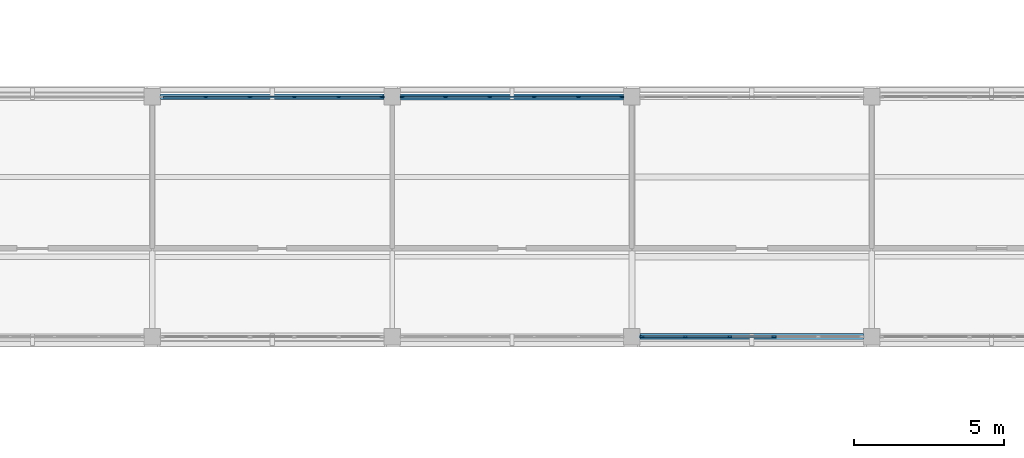
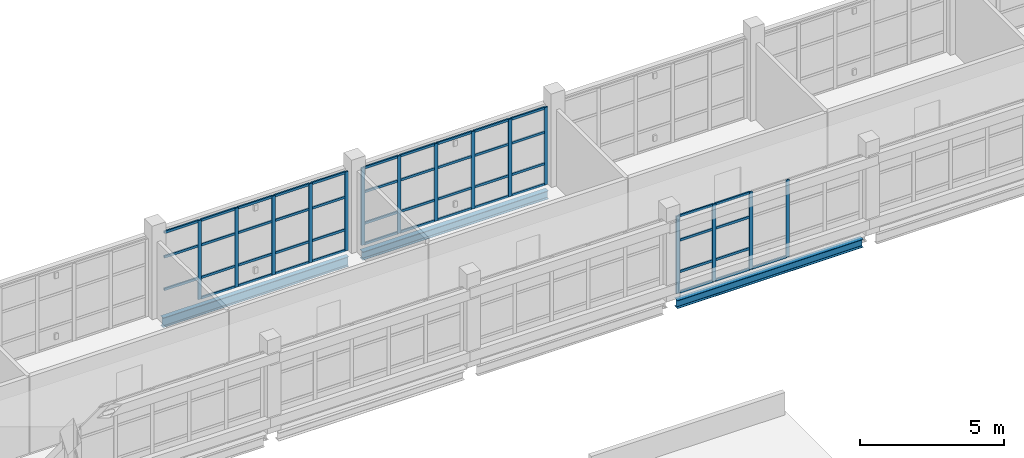
# One storey, part 37 of 92: 63 members, 3 beams, 3 elements without a shape of their own.
"""IFC4 building model written with IfcOpenShell, lengths in metres."""

from ifc_helpers import new_model, si_unit, derived_unit, direction, frame, origin, origin_2d, place, context, subcontext, project, spatial, rectangle, i_section, extrude, material, layer, layer_set, material_profile, profile_set, type_object, element, aggregate, save


model = new_model("IFC4")

# Units and contexts
model_context = context("Model", 3, precision=1e-05, world=origin(), true_north=direction((0.0, 1.0)))
body_context = subcontext(model_context, "Body", "Model", "MODEL_VIEW")
ifc_project = project(units=[si_unit("LENGTHUNIT", "METRE"), si_unit("AREAUNIT", "SQUARE_METRE"), si_unit("VOLUMEUNIT", "CUBIC_METRE"), si_unit("PLANEANGLEUNIT", "RADIAN"), si_unit("MASSUNIT", "GRAM", prefix="KILO"), derived_unit("THERMALTRANSMITTANCEUNIT", [(si_unit("MASSUNIT", "GRAM", prefix="KILO"), 1), (si_unit("TIMEUNIT", "SECOND"), -3), (si_unit("THERMODYNAMICTEMPERATUREUNIT", "KELVIN"), -1)])], contexts=[model_context])

# Site, building, storey
site_placement = place(None, origin())
site = spatial("IfcSite", under=ifc_project, at=site_placement, CompositionType="ELEMENT")
building_placement = place(site_placement, origin())
building = spatial("IfcBuilding", under=site, at=building_placement, Name="Veyamyaing Civic Hall", CompositionType="ELEMENT")
storey_placement = place(building_placement, frame((0.0, 0.0, 17.820068359375)))
storey = spatial("IfcBuildingStorey", under=building, at=storey_placement, Name="L04", CompositionType="ELEMENT", Elevation=17.820068359375)

# Beams
ifc_material_1 = material(Name="Steel ASTM A992", Category="steel")
ifc_material_profile_1 = material_profile(ifc_material_1, i_section(OverallWidth=0.179931640625, OverallDepth=0.4130859375, WebThickness=0.009765625, FlangeThickness=0.01611328125, FilletRadius=0.010009765625, at=origin_2d()), Name="W410X74")
ifc_profile_set_1 = profile_set([ifc_material_profile_1], Name="Steel ASTM A992")
beam_type_1 = type_object("IfcBeamType", Name="B-10", PredefinedType="SPANDREL", material=ifc_profile_set_1)
beam_placement = place(storey_placement, frame((128.27490234375, 56.0, -0.441650390625), z_axis=(1.0, 0.0, 0.0), x_axis=(0.0, 1.0, 0.0)))
element("IfcBeam", 1, at=beam_placement, inside=storey, type_object=beam_type_1, Name="Girder B-10 L04 Grid H 17-18", PredefinedType="SPANDREL", context=body_context, shape_type="SweptSolid", body=[
    extrude(i_section(OverallWidth=0.179931640625, OverallDepth=0.4130859375, WebThickness=0.009765625, FlangeThickness=0.01611328125, FilletRadius=0.010009765625, at=origin_2d()), origin(), (0.0, 0.0, 1.0), 7.4501953125),
])
ifc_material_profile_2 = material_profile(ifc_material_1, i_section(OverallWidth=0.2041015625, OverallDepth=0.35009765625, WebThickness=0.0078125, FlangeThickness=0.01513671875, FilletRadius=0.010009765625, at=origin_2d()), Name="W360X72")
ifc_profile_set_2 = profile_set([ifc_material_profile_2], Name="Steel ASTM A992")
beam_type_2 = type_object("IfcBeamType", Name="B-11", PredefinedType="SPANDREL", material=ifc_profile_set_2)
for number, where, z_axis, x_axis, name in (
    (2, (144.27490234375, 48.0, -0.41015625), (1.0, 0.0, 0.0), (0.0, 1.0, 0.0), "Girder B-11 L04 Grid G 19-20"),
    (3, (136.27490234375, 56.0, -0.41015625), (1.0, 0.0, 0.0), (0.0, 1.0, 0.0), "Girder B-11 L04 Grid H 18-19"),
):
    element("IfcBeam", number, at=place(storey_placement, frame(where, z_axis=z_axis, x_axis=x_axis)), inside=storey, type_object=beam_type_2, Name=name, PredefinedType="SPANDREL", context=body_context, shape_type="SweptSolid", body=[
        extrude(i_section(OverallWidth=0.2041015625, OverallDepth=0.35009765625, WebThickness=0.0078125, FlangeThickness=0.01513671875, FilletRadius=0.010009765625, at=origin_2d()), origin(), (0.0, 0.0, 1.0), 7.4501953125),
    ])

# Curtain wall, members
ifc_material_2 = material(Name="Anodised aluminium 6063-T6", Category="aluminium")
ifc_layer = layer(ifc_material_2, 0.139892578125, Name="Anodised aluminium 6063-T6")
ifc_layer_set = layer_set([ifc_layer], Name="Anodised aluminium 6063-T6")
curtain_wall_type = type_object("IfcCurtainWallType", Name="CW-04", PredefinedType="NOTDEFINED", material=ifc_layer_set)
curtain_wall_1_placement = place(storey_placement, origin())
curtain_wall_1 = element("IfcCurtainWall", 4, at=curtain_wall_1_placement, inside=storey, type_object=curtain_wall_type, Name="Unitized curtain wall CW-04 L04 N 17.7", PredefinedType="NOTDEFINED")
ifc_material_profile_3 = material_profile(ifc_material_2, rectangle(XDim=0.06005859375, YDim=0.139892578125, at=origin_2d()), Name="ALU-MUL-60X140")
ifc_profile_set_3 = profile_set([ifc_material_profile_3], Name="Anodised aluminium 6063-T6")
member_type_1 = type_object("IfcMemberType", Name="CWM-03", PredefinedType="MULLION", material=ifc_profile_set_3)
member_1_placement = place(storey_placement, frame((129.782958984375, 56.0, 0.0), z_axis=(0.0, 0.0, 1.0), x_axis=(0.0, 1.0, 0.0)))
member_1 = element("IfcMember", 5, at=member_1_placement, type_object=member_type_1, Name="CW-04 mullion 2", PredefinedType="MULLION", context=body_context, shape_type="SweptSolid", body=[
    extrude(rectangle(XDim=0.06005859375, YDim=0.139892578125, at=origin_2d()), origin(), (0.0, 0.0, 1.0), 3.35205078125),
])
member_2_placement = place(storey_placement, frame((131.260986328125, 56.0, 0.0), z_axis=(0.0, 0.0, 1.0), x_axis=(0.0, 1.0, 0.0)))
member_2 = element("IfcMember", 6, at=member_2_placement, type_object=member_type_1, Name="CW-04 mullion 3", PredefinedType="MULLION", context=body_context, shape_type="SweptSolid", body=[
    extrude(rectangle(XDim=0.06005859375, YDim=0.139892578125, at=origin_2d()), origin(), (0.0, 0.0, 1.0), 3.35205078125),
])
member_3_placement = place(storey_placement, frame((132.739013671875, 56.0, 0.0), z_axis=(0.0, 0.0, 1.0), x_axis=(0.0, 1.0, 0.0)))
member_3 = element("IfcMember", 7, at=member_3_placement, type_object=member_type_1, Name="CW-04 mullion 4", PredefinedType="MULLION", context=body_context, shape_type="SweptSolid", body=[
    extrude(rectangle(XDim=0.06005859375, YDim=0.139892578125, at=origin_2d()), origin(), (0.0, 0.0, 1.0), 3.35205078125),
])
member_4_placement = place(storey_placement, frame((134.217041015625, 56.0, 0.0), z_axis=(0.0, 0.0, 1.0), x_axis=(0.0, 1.0, 0.0)))
member_4 = element("IfcMember", 8, at=member_4_placement, type_object=member_type_1, Name="CW-04 mullion 5", PredefinedType="MULLION", context=body_context, shape_type="SweptSolid", body=[
    extrude(rectangle(XDim=0.06005859375, YDim=0.139892578125, at=origin_2d()), origin(), (0.0, 0.0, 1.0), 3.35205078125),
])
member_5_placement = place(storey_placement, frame((135.6650390625, 56.0, 0.0), z_axis=(0.0, 0.0, 1.0), x_axis=(0.0, 1.0, 0.0)))
member_5 = element("IfcMember", 9, at=member_5_placement, type_object=member_type_1, Name="CW-04 mullion 6", PredefinedType="MULLION", context=body_context, shape_type="SweptSolid", body=[
    extrude(rectangle(XDim=0.06005859375, YDim=0.139892578125, at=origin_2d()), origin(), (0.0, 0.0, 1.0), 3.35205078125),
])

curtain_wall_2_placement = place(storey_placement, origin())
curtain_wall_2 = element("IfcCurtainWall", 10, at=curtain_wall_2_placement, inside=storey, type_object=curtain_wall_type, Name="Unitized curtain wall CW-04 L04 N 18.7", PredefinedType="NOTDEFINED")
member_6_placement = place(storey_placement, frame((136.3349609375, 56.0, 0.0), z_axis=(0.0, 0.0, 1.0), x_axis=(0.0, 1.0, 0.0)))
member_6 = element("IfcMember", 11, at=member_6_placement, type_object=member_type_1, Name="CW-04 mullion 1", PredefinedType="MULLION", context=body_context, shape_type="SweptSolid", body=[
    extrude(rectangle(XDim=0.06005859375, YDim=0.139892578125, at=origin_2d()), origin(), (0.0, 0.0, 1.0), 3.284912109375),
])
member_7_placement = place(storey_placement, frame((137.782958984375, 56.0, 0.0), z_axis=(0.0, 0.0, 1.0), x_axis=(0.0, 1.0, 0.0)))
member_7 = element("IfcMember", 12, at=member_7_placement, type_object=member_type_1, Name="CW-04 mullion 2", PredefinedType="MULLION", context=body_context, shape_type="SweptSolid", body=[
    extrude(rectangle(XDim=0.06005859375, YDim=0.139892578125, at=origin_2d()), origin(), (0.0, 0.0, 1.0), 3.284912109375),
])
member_8_placement = place(storey_placement, frame((139.260986328125, 56.0, 0.0), z_axis=(0.0, 0.0, 1.0), x_axis=(0.0, 1.0, 0.0)))
member_8 = element("IfcMember", 13, at=member_8_placement, type_object=member_type_1, Name="CW-04 mullion 3", PredefinedType="MULLION", context=body_context, shape_type="SweptSolid", body=[
    extrude(rectangle(XDim=0.06005859375, YDim=0.139892578125, at=origin_2d()), origin(), (0.0, 0.0, 1.0), 3.284912109375),
])
member_9_placement = place(storey_placement, frame((140.739013671875, 56.0, 0.0), z_axis=(0.0, 0.0, 1.0), x_axis=(0.0, 1.0, 0.0)))
member_9 = element("IfcMember", 14, at=member_9_placement, type_object=member_type_1, Name="CW-04 mullion 4", PredefinedType="MULLION", context=body_context, shape_type="SweptSolid", body=[
    extrude(rectangle(XDim=0.06005859375, YDim=0.139892578125, at=origin_2d()), origin(), (0.0, 0.0, 1.0), 3.284912109375),
])
member_10_placement = place(storey_placement, frame((142.217041015625, 56.0, 0.0), z_axis=(0.0, 0.0, 1.0), x_axis=(0.0, 1.0, 0.0)))
member_10 = element("IfcMember", 15, at=member_10_placement, type_object=member_type_1, Name="CW-04 mullion 5", PredefinedType="MULLION", context=body_context, shape_type="SweptSolid", body=[
    extrude(rectangle(XDim=0.06005859375, YDim=0.139892578125, at=origin_2d()), origin(), (0.0, 0.0, 1.0), 3.284912109375),
])
member_11_placement = place(storey_placement, frame((143.6650390625, 56.0, 0.0), z_axis=(0.0, 0.0, 1.0), x_axis=(0.0, 1.0, 0.0)))
member_11 = element("IfcMember", 16, at=member_11_placement, type_object=member_type_1, Name="CW-04 mullion 6", PredefinedType="MULLION", context=body_context, shape_type="SweptSolid", body=[
    extrude(rectangle(XDim=0.06005859375, YDim=0.139892578125, at=origin_2d()), origin(), (0.0, 0.0, 1.0), 3.284912109375),
])

curtain_wall_3_placement = place(storey_placement, origin())
curtain_wall_3 = element("IfcCurtainWall", 17, at=curtain_wall_3_placement, inside=storey, type_object=curtain_wall_type, Name="Unitized curtain wall CW-04 L04 S 19.7", PredefinedType="NOTDEFINED")
member_12_placement = place(storey_placement, frame((144.3349609375, 48.0, 0.0), z_axis=(0.0, 0.0, 1.0), x_axis=(0.0, 1.0, 0.0)))
member_12 = element("IfcMember", 18, at=member_12_placement, type_object=member_type_1, Name="CW-04 mullion 1", PredefinedType="MULLION", context=body_context, shape_type="SweptSolid", body=[
    extrude(rectangle(XDim=0.06005859375, YDim=0.139892578125, at=origin_2d()), origin(), (0.0, 0.0, 1.0), 3.284912109375),
])
member_13_placement = place(storey_placement, frame((145.782958984375, 48.0, 0.0), z_axis=(0.0, 0.0, 1.0), x_axis=(0.0, 1.0, 0.0)))
member_13 = element("IfcMember", 19, at=member_13_placement, type_object=member_type_1, Name="CW-04 mullion 2", PredefinedType="MULLION", context=body_context, shape_type="SweptSolid", body=[
    extrude(rectangle(XDim=0.06005859375, YDim=0.139892578125, at=origin_2d()), origin(), (0.0, 0.0, 1.0), 3.284912109375),
])
member_14_placement = place(storey_placement, frame((147.260986328125, 48.0, 0.0), z_axis=(0.0, 0.0, 1.0), x_axis=(0.0, 1.0, 0.0)))
member_14 = element("IfcMember", 20, at=member_14_placement, type_object=member_type_1, Name="CW-04 mullion 3", PredefinedType="MULLION", context=body_context, shape_type="SweptSolid", body=[
    extrude(rectangle(XDim=0.06005859375, YDim=0.139892578125, at=origin_2d()), origin(), (0.0, 0.0, 1.0), 3.284912109375),
])
member_15_placement = place(storey_placement, frame((148.739013671875, 48.0, 0.0), z_axis=(0.0, 0.0, 1.0), x_axis=(0.0, 1.0, 0.0)))
member_15 = element("IfcMember", 21, at=member_15_placement, type_object=member_type_1, Name="CW-04 mullion 4", PredefinedType="MULLION", context=body_context, shape_type="SweptSolid", body=[
    extrude(rectangle(XDim=0.06005859375, YDim=0.139892578125, at=origin_2d()), origin(), (0.0, 0.0, 1.0), 3.284912109375),
])

# Member
ifc_material_profile_4 = material_profile(ifc_material_2, rectangle(XDim=0.06005859375, YDim=0.10009765625, at=origin_2d()), Name="ALU-TRN-60X100")
ifc_profile_set_4 = profile_set([ifc_material_profile_4], Name="Anodised aluminium 6063-T6")
member_type_2 = type_object("IfcMemberType", Name="CWT-03", PredefinedType="USERDEFINED", material=ifc_profile_set_4)
member_16_placement = place(storey_placement, frame((128.364990234375, 56.0, 0.89990234375), z_axis=(1.0, 0.0, 0.0), x_axis=(0.0, 1.0, 0.0)))
member_16 = element("IfcMember", 22, at=member_16_placement, type_object=member_type_2, Name="CW-04 transom 1.2", ObjectType="TRANSOM", PredefinedType="USERDEFINED", context=body_context, shape_type="SweptSolid", body=[
    extrude(rectangle(XDim=0.06005859375, YDim=0.10009765625, at=origin_2d()), origin(), (0.0, 0.0, 1.0), 1.387939453125),
])

member_17_placement = place(storey_placement, frame((128.364990234375, 56.0, 2.279296875), z_axis=(1.0, 0.0, 0.0), x_axis=(0.0, 1.0, 0.0)))
member_17 = element("IfcMember", 23, at=member_17_placement, type_object=member_type_2, Name="CW-04 transom 1.3", ObjectType="TRANSOM", PredefinedType="USERDEFINED", context=body_context, shape_type="SweptSolid", body=[
    extrude(rectangle(XDim=0.06005859375, YDim=0.10009765625, at=origin_2d()), origin(), (0.0, 0.0, 1.0), 1.387939453125),
])

member_18_placement = place(storey_placement, frame((128.364990234375, 56.0, 3.322021484375), z_axis=(1.0, 0.0, 0.0), x_axis=(0.0, 1.0, 0.0)))
member_18 = element("IfcMember", 24, at=member_18_placement, type_object=member_type_2, Name="CW-04 transom 1.4", ObjectType="TRANSOM", PredefinedType="USERDEFINED", context=body_context, shape_type="SweptSolid", body=[
    extrude(rectangle(XDim=0.06005859375, YDim=0.10009765625, at=origin_2d()), origin(), (0.0, 0.0, 1.0), 1.387939453125),
])

member_19_placement = place(storey_placement, frame((129.81298828125, 56.0, 0.030029296875), z_axis=(1.0, 0.0, 0.0), x_axis=(0.0, 1.0, 0.0)))
member_19 = element("IfcMember", 25, at=member_19_placement, type_object=member_type_2, Name="CW-04 transom 2.1", ObjectType="TRANSOM", PredefinedType="USERDEFINED", context=body_context, shape_type="SweptSolid", body=[
    extrude(rectangle(XDim=0.06005859375, YDim=0.10009765625, at=origin_2d()), origin(), (0.0, 0.0, 1.0), 1.41796875),
])

member_20_placement = place(storey_placement, frame((129.81298828125, 56.0, 0.89990234375), z_axis=(1.0, 0.0, 0.0), x_axis=(0.0, 1.0, 0.0)))
member_20 = element("IfcMember", 26, at=member_20_placement, type_object=member_type_2, Name="CW-04 transom 2.2", ObjectType="TRANSOM", PredefinedType="USERDEFINED", context=body_context, shape_type="SweptSolid", body=[
    extrude(rectangle(XDim=0.06005859375, YDim=0.10009765625, at=origin_2d()), origin(), (0.0, 0.0, 1.0), 1.41796875),
])

member_21_placement = place(storey_placement, frame((129.81298828125, 56.0, 2.279296875), z_axis=(1.0, 0.0, 0.0), x_axis=(0.0, 1.0, 0.0)))
member_21 = element("IfcMember", 27, at=member_21_placement, type_object=member_type_2, Name="CW-04 transom 2.3", ObjectType="TRANSOM", PredefinedType="USERDEFINED", context=body_context, shape_type="SweptSolid", body=[
    extrude(rectangle(XDim=0.06005859375, YDim=0.10009765625, at=origin_2d()), origin(), (0.0, 0.0, 1.0), 1.41796875),
])

member_22_placement = place(storey_placement, frame((129.81298828125, 56.0, 3.322021484375), z_axis=(1.0, 0.0, 0.0), x_axis=(0.0, 1.0, 0.0)))
member_22 = element("IfcMember", 28, at=member_22_placement, type_object=member_type_2, Name="CW-04 transom 2.4", ObjectType="TRANSOM", PredefinedType="USERDEFINED", context=body_context, shape_type="SweptSolid", body=[
    extrude(rectangle(XDim=0.06005859375, YDim=0.10009765625, at=origin_2d()), origin(), (0.0, 0.0, 1.0), 1.41796875),
])

member_23_placement = place(storey_placement, frame((131.291015625, 56.0, 0.030029296875), z_axis=(1.0, 0.0, 0.0), x_axis=(0.0, 1.0, 0.0)))
member_23 = element("IfcMember", 29, at=member_23_placement, type_object=member_type_2, Name="CW-04 transom 3.1", ObjectType="TRANSOM", PredefinedType="USERDEFINED", context=body_context, shape_type="SweptSolid", body=[
    extrude(rectangle(XDim=0.06005859375, YDim=0.10009765625, at=origin_2d()), origin(), (0.0, 0.0, 1.0), 1.41796875),
])

member_24_placement = place(storey_placement, frame((131.291015625, 56.0, 0.89990234375), z_axis=(1.0, 0.0, 0.0), x_axis=(0.0, 1.0, 0.0)))
member_24 = element("IfcMember", 30, at=member_24_placement, type_object=member_type_2, Name="CW-04 transom 3.2", ObjectType="TRANSOM", PredefinedType="USERDEFINED", context=body_context, shape_type="SweptSolid", body=[
    extrude(rectangle(XDim=0.06005859375, YDim=0.10009765625, at=origin_2d()), origin(), (0.0, 0.0, 1.0), 1.41796875),
])

member_25_placement = place(storey_placement, frame((131.291015625, 56.0, 2.279296875), z_axis=(1.0, 0.0, 0.0), x_axis=(0.0, 1.0, 0.0)))
member_25 = element("IfcMember", 31, at=member_25_placement, type_object=member_type_2, Name="CW-04 transom 3.3", ObjectType="TRANSOM", PredefinedType="USERDEFINED", context=body_context, shape_type="SweptSolid", body=[
    extrude(rectangle(XDim=0.06005859375, YDim=0.10009765625, at=origin_2d()), origin(), (0.0, 0.0, 1.0), 1.41796875),
])

member_26_placement = place(storey_placement, frame((131.291015625, 56.0, 3.322021484375), z_axis=(1.0, 0.0, 0.0), x_axis=(0.0, 1.0, 0.0)))
member_26 = element("IfcMember", 32, at=member_26_placement, type_object=member_type_2, Name="CW-04 transom 3.4", ObjectType="TRANSOM", PredefinedType="USERDEFINED", context=body_context, shape_type="SweptSolid", body=[
    extrude(rectangle(XDim=0.06005859375, YDim=0.10009765625, at=origin_2d()), origin(), (0.0, 0.0, 1.0), 1.41796875),
])

member_27_placement = place(storey_placement, frame((132.76904296875, 56.0, 0.030029296875), z_axis=(1.0, 0.0, 0.0), x_axis=(0.0, 1.0, 0.0)))
member_27 = element("IfcMember", 33, at=member_27_placement, type_object=member_type_2, Name="CW-04 transom 4.1", ObjectType="TRANSOM", PredefinedType="USERDEFINED", context=body_context, shape_type="SweptSolid", body=[
    extrude(rectangle(XDim=0.06005859375, YDim=0.10009765625, at=origin_2d()), origin(), (0.0, 0.0, 1.0), 1.41796875),
])

member_28_placement = place(storey_placement, frame((132.76904296875, 56.0, 0.89990234375), z_axis=(1.0, 0.0, 0.0), x_axis=(0.0, 1.0, 0.0)))
member_28 = element("IfcMember", 34, at=member_28_placement, type_object=member_type_2, Name="CW-04 transom 4.2", ObjectType="TRANSOM", PredefinedType="USERDEFINED", context=body_context, shape_type="SweptSolid", body=[
    extrude(rectangle(XDim=0.06005859375, YDim=0.10009765625, at=origin_2d()), origin(), (0.0, 0.0, 1.0), 1.41796875),
])

member_29_placement = place(storey_placement, frame((132.76904296875, 56.0, 2.279296875), z_axis=(1.0, 0.0, 0.0), x_axis=(0.0, 1.0, 0.0)))
member_29 = element("IfcMember", 35, at=member_29_placement, type_object=member_type_2, Name="CW-04 transom 4.3", ObjectType="TRANSOM", PredefinedType="USERDEFINED", context=body_context, shape_type="SweptSolid", body=[
    extrude(rectangle(XDim=0.06005859375, YDim=0.10009765625, at=origin_2d()), origin(), (0.0, 0.0, 1.0), 1.41796875),
])

member_30_placement = place(storey_placement, frame((132.76904296875, 56.0, 3.322021484375), z_axis=(1.0, 0.0, 0.0), x_axis=(0.0, 1.0, 0.0)))
member_30 = element("IfcMember", 36, at=member_30_placement, type_object=member_type_2, Name="CW-04 transom 4.4", ObjectType="TRANSOM", PredefinedType="USERDEFINED", context=body_context, shape_type="SweptSolid", body=[
    extrude(rectangle(XDim=0.06005859375, YDim=0.10009765625, at=origin_2d()), origin(), (0.0, 0.0, 1.0), 1.41796875),
])

member_31_placement = place(storey_placement, frame((134.2470703125, 56.0, 0.030029296875), z_axis=(1.0, 0.0, 0.0), x_axis=(0.0, 1.0, 0.0)))
member_31 = element("IfcMember", 37, at=member_31_placement, type_object=member_type_2, Name="CW-04 transom 5.1", ObjectType="TRANSOM", PredefinedType="USERDEFINED", context=body_context, shape_type="SweptSolid", body=[
    extrude(rectangle(XDim=0.06005859375, YDim=0.10009765625, at=origin_2d()), origin(), (0.0, 0.0, 1.0), 1.387939453125),
])

member_32_placement = place(storey_placement, frame((134.2470703125, 56.0, 0.89990234375), z_axis=(1.0, 0.0, 0.0), x_axis=(0.0, 1.0, 0.0)))
member_32 = element("IfcMember", 38, at=member_32_placement, type_object=member_type_2, Name="CW-04 transom 5.2", ObjectType="TRANSOM", PredefinedType="USERDEFINED", context=body_context, shape_type="SweptSolid", body=[
    extrude(rectangle(XDim=0.06005859375, YDim=0.10009765625, at=origin_2d()), origin(), (0.0, 0.0, 1.0), 1.387939453125),
])

member_33_placement = place(storey_placement, frame((134.2470703125, 56.0, 2.279296875), z_axis=(1.0, 0.0, 0.0), x_axis=(0.0, 1.0, 0.0)))
member_33 = element("IfcMember", 39, at=member_33_placement, type_object=member_type_2, Name="CW-04 transom 5.3", ObjectType="TRANSOM", PredefinedType="USERDEFINED", context=body_context, shape_type="SweptSolid", body=[
    extrude(rectangle(XDim=0.06005859375, YDim=0.10009765625, at=origin_2d()), origin(), (0.0, 0.0, 1.0), 1.387939453125),
])

member_34_placement = place(storey_placement, frame((134.2470703125, 56.0, 3.322021484375), z_axis=(1.0, 0.0, 0.0), x_axis=(0.0, 1.0, 0.0)))
member_34 = element("IfcMember", 40, at=member_34_placement, type_object=member_type_2, Name="CW-04 transom 5.4", ObjectType="TRANSOM", PredefinedType="USERDEFINED", context=body_context, shape_type="SweptSolid", body=[
    extrude(rectangle(XDim=0.06005859375, YDim=0.10009765625, at=origin_2d()), origin(), (0.0, 0.0, 1.0), 1.387939453125),
])

aggregate(curtain_wall_1, [member_1, member_2, member_3, member_4, member_5, member_16, member_17, member_18, member_19, member_20, member_21, member_22, member_23, member_24, member_25, member_26, member_27, member_28, member_29, member_30, member_31, member_32, member_33, member_34])

member_35_placement = place(storey_placement, frame((136.364990234375, 56.0, 0.030029296875), z_axis=(1.0, 0.0, 0.0), x_axis=(0.0, 1.0, 0.0)))
member_35 = element("IfcMember", 41, at=member_35_placement, type_object=member_type_2, Name="CW-04 transom 1.1", ObjectType="TRANSOM", PredefinedType="USERDEFINED", context=body_context, shape_type="SweptSolid", body=[
    extrude(rectangle(XDim=0.06005859375, YDim=0.10009765625, at=origin_2d()), origin(), (0.0, 0.0, 1.0), 1.387939453125),
])

member_36_placement = place(storey_placement, frame((136.364990234375, 56.0, 0.89990234375), z_axis=(1.0, 0.0, 0.0), x_axis=(0.0, 1.0, 0.0)))
member_36 = element("IfcMember", 42, at=member_36_placement, type_object=member_type_2, Name="CW-04 transom 1.2", ObjectType="TRANSOM", PredefinedType="USERDEFINED", context=body_context, shape_type="SweptSolid", body=[
    extrude(rectangle(XDim=0.06005859375, YDim=0.10009765625, at=origin_2d()), origin(), (0.0, 0.0, 1.0), 1.387939453125),
])

member_37_placement = place(storey_placement, frame((136.364990234375, 56.0, 2.233642578125), z_axis=(1.0, 0.0, 0.0), x_axis=(0.0, 1.0, 0.0)))
member_37 = element("IfcMember", 43, at=member_37_placement, type_object=member_type_2, Name="CW-04 transom 1.3", ObjectType="TRANSOM", PredefinedType="USERDEFINED", context=body_context, shape_type="SweptSolid", body=[
    extrude(rectangle(XDim=0.06005859375, YDim=0.10009765625, at=origin_2d()), origin(), (0.0, 0.0, 1.0), 1.387939453125),
])

member_38_placement = place(storey_placement, frame((136.364990234375, 56.0, 3.2548828125), z_axis=(1.0, 0.0, 0.0), x_axis=(0.0, 1.0, 0.0)))
member_38 = element("IfcMember", 44, at=member_38_placement, type_object=member_type_2, Name="CW-04 transom 1.4", ObjectType="TRANSOM", PredefinedType="USERDEFINED", context=body_context, shape_type="SweptSolid", body=[
    extrude(rectangle(XDim=0.06005859375, YDim=0.10009765625, at=origin_2d()), origin(), (0.0, 0.0, 1.0), 1.387939453125),
])

member_39_placement = place(storey_placement, frame((137.81298828125, 56.0, 0.030029296875), z_axis=(1.0, 0.0, 0.0), x_axis=(0.0, 1.0, 0.0)))
member_39 = element("IfcMember", 45, at=member_39_placement, type_object=member_type_2, Name="CW-04 transom 2.1", ObjectType="TRANSOM", PredefinedType="USERDEFINED", context=body_context, shape_type="SweptSolid", body=[
    extrude(rectangle(XDim=0.06005859375, YDim=0.10009765625, at=origin_2d()), origin(), (0.0, 0.0, 1.0), 1.41796875),
])

member_40_placement = place(storey_placement, frame((137.81298828125, 56.0, 0.89990234375), z_axis=(1.0, 0.0, 0.0), x_axis=(0.0, 1.0, 0.0)))
member_40 = element("IfcMember", 46, at=member_40_placement, type_object=member_type_2, Name="CW-04 transom 2.2", ObjectType="TRANSOM", PredefinedType="USERDEFINED", context=body_context, shape_type="SweptSolid", body=[
    extrude(rectangle(XDim=0.06005859375, YDim=0.10009765625, at=origin_2d()), origin(), (0.0, 0.0, 1.0), 1.41796875),
])

member_41_placement = place(storey_placement, frame((137.81298828125, 56.0, 2.233642578125), z_axis=(1.0, 0.0, 0.0), x_axis=(0.0, 1.0, 0.0)))
member_41 = element("IfcMember", 47, at=member_41_placement, type_object=member_type_2, Name="CW-04 transom 2.3", ObjectType="TRANSOM", PredefinedType="USERDEFINED", context=body_context, shape_type="SweptSolid", body=[
    extrude(rectangle(XDim=0.06005859375, YDim=0.10009765625, at=origin_2d()), origin(), (0.0, 0.0, 1.0), 1.41796875),
])

member_42_placement = place(storey_placement, frame((137.81298828125, 56.0, 3.2548828125), z_axis=(1.0, 0.0, 0.0), x_axis=(0.0, 1.0, 0.0)))
member_42 = element("IfcMember", 48, at=member_42_placement, type_object=member_type_2, Name="CW-04 transom 2.4", ObjectType="TRANSOM", PredefinedType="USERDEFINED", context=body_context, shape_type="SweptSolid", body=[
    extrude(rectangle(XDim=0.06005859375, YDim=0.10009765625, at=origin_2d()), origin(), (0.0, 0.0, 1.0), 1.41796875),
])

member_43_placement = place(storey_placement, frame((139.291015625, 56.0, 0.030029296875), z_axis=(1.0, 0.0, 0.0), x_axis=(0.0, 1.0, 0.0)))
member_43 = element("IfcMember", 49, at=member_43_placement, type_object=member_type_2, Name="CW-04 transom 3.1", ObjectType="TRANSOM", PredefinedType="USERDEFINED", context=body_context, shape_type="SweptSolid", body=[
    extrude(rectangle(XDim=0.06005859375, YDim=0.10009765625, at=origin_2d()), origin(), (0.0, 0.0, 1.0), 1.41796875),
])

member_44_placement = place(storey_placement, frame((139.291015625, 56.0, 0.89990234375), z_axis=(1.0, 0.0, 0.0), x_axis=(0.0, 1.0, 0.0)))
member_44 = element("IfcMember", 50, at=member_44_placement, type_object=member_type_2, Name="CW-04 transom 3.2", ObjectType="TRANSOM", PredefinedType="USERDEFINED", context=body_context, shape_type="SweptSolid", body=[
    extrude(rectangle(XDim=0.06005859375, YDim=0.10009765625, at=origin_2d()), origin(), (0.0, 0.0, 1.0), 1.41796875),
])

member_45_placement = place(storey_placement, frame((139.291015625, 56.0, 2.233642578125), z_axis=(1.0, 0.0, 0.0), x_axis=(0.0, 1.0, 0.0)))
member_45 = element("IfcMember", 51, at=member_45_placement, type_object=member_type_2, Name="CW-04 transom 3.3", ObjectType="TRANSOM", PredefinedType="USERDEFINED", context=body_context, shape_type="SweptSolid", body=[
    extrude(rectangle(XDim=0.06005859375, YDim=0.10009765625, at=origin_2d()), origin(), (0.0, 0.0, 1.0), 1.41796875),
])

member_46_placement = place(storey_placement, frame((139.291015625, 56.0, 3.2548828125), z_axis=(1.0, 0.0, 0.0), x_axis=(0.0, 1.0, 0.0)))
member_46 = element("IfcMember", 52, at=member_46_placement, type_object=member_type_2, Name="CW-04 transom 3.4", ObjectType="TRANSOM", PredefinedType="USERDEFINED", context=body_context, shape_type="SweptSolid", body=[
    extrude(rectangle(XDim=0.06005859375, YDim=0.10009765625, at=origin_2d()), origin(), (0.0, 0.0, 1.0), 1.41796875),
])

member_47_placement = place(storey_placement, frame((140.76904296875, 56.0, 0.030029296875), z_axis=(1.0, 0.0, 0.0), x_axis=(0.0, 1.0, 0.0)))
member_47 = element("IfcMember", 53, at=member_47_placement, type_object=member_type_2, Name="CW-04 transom 4.1", ObjectType="TRANSOM", PredefinedType="USERDEFINED", context=body_context, shape_type="SweptSolid", body=[
    extrude(rectangle(XDim=0.06005859375, YDim=0.10009765625, at=origin_2d()), origin(), (0.0, 0.0, 1.0), 1.41796875),
])

member_48_placement = place(storey_placement, frame((140.76904296875, 56.0, 0.89990234375), z_axis=(1.0, 0.0, 0.0), x_axis=(0.0, 1.0, 0.0)))
member_48 = element("IfcMember", 54, at=member_48_placement, type_object=member_type_2, Name="CW-04 transom 4.2", ObjectType="TRANSOM", PredefinedType="USERDEFINED", context=body_context, shape_type="SweptSolid", body=[
    extrude(rectangle(XDim=0.06005859375, YDim=0.10009765625, at=origin_2d()), origin(), (0.0, 0.0, 1.0), 1.41796875),
])

member_49_placement = place(storey_placement, frame((140.76904296875, 56.0, 2.233642578125), z_axis=(1.0, 0.0, 0.0), x_axis=(0.0, 1.0, 0.0)))
member_49 = element("IfcMember", 55, at=member_49_placement, type_object=member_type_2, Name="CW-04 transom 4.3", ObjectType="TRANSOM", PredefinedType="USERDEFINED", context=body_context, shape_type="SweptSolid", body=[
    extrude(rectangle(XDim=0.06005859375, YDim=0.10009765625, at=origin_2d()), origin(), (0.0, 0.0, 1.0), 1.41796875),
])

member_50_placement = place(storey_placement, frame((140.76904296875, 56.0, 3.2548828125), z_axis=(1.0, 0.0, 0.0), x_axis=(0.0, 1.0, 0.0)))
member_50 = element("IfcMember", 56, at=member_50_placement, type_object=member_type_2, Name="CW-04 transom 4.4", ObjectType="TRANSOM", PredefinedType="USERDEFINED", context=body_context, shape_type="SweptSolid", body=[
    extrude(rectangle(XDim=0.06005859375, YDim=0.10009765625, at=origin_2d()), origin(), (0.0, 0.0, 1.0), 1.41796875),
])

member_51_placement = place(storey_placement, frame((142.2470703125, 56.0, 0.030029296875), z_axis=(1.0, 0.0, 0.0), x_axis=(0.0, 1.0, 0.0)))
member_51 = element("IfcMember", 57, at=member_51_placement, type_object=member_type_2, Name="CW-04 transom 5.1", ObjectType="TRANSOM", PredefinedType="USERDEFINED", context=body_context, shape_type="SweptSolid", body=[
    extrude(rectangle(XDim=0.06005859375, YDim=0.10009765625, at=origin_2d()), origin(), (0.0, 0.0, 1.0), 1.387939453125),
])

member_52_placement = place(storey_placement, frame((142.2470703125, 56.0, 0.89990234375), z_axis=(1.0, 0.0, 0.0), x_axis=(0.0, 1.0, 0.0)))
member_52 = element("IfcMember", 58, at=member_52_placement, type_object=member_type_2, Name="CW-04 transom 5.2", ObjectType="TRANSOM", PredefinedType="USERDEFINED", context=body_context, shape_type="SweptSolid", body=[
    extrude(rectangle(XDim=0.06005859375, YDim=0.10009765625, at=origin_2d()), origin(), (0.0, 0.0, 1.0), 1.387939453125),
])

member_53_placement = place(storey_placement, frame((142.2470703125, 56.0, 2.233642578125), z_axis=(1.0, 0.0, 0.0), x_axis=(0.0, 1.0, 0.0)))
member_53 = element("IfcMember", 59, at=member_53_placement, type_object=member_type_2, Name="CW-04 transom 5.3", ObjectType="TRANSOM", PredefinedType="USERDEFINED", context=body_context, shape_type="SweptSolid", body=[
    extrude(rectangle(XDim=0.06005859375, YDim=0.10009765625, at=origin_2d()), origin(), (0.0, 0.0, 1.0), 1.387939453125),
])

member_54_placement = place(storey_placement, frame((142.2470703125, 56.0, 3.2548828125), z_axis=(1.0, 0.0, 0.0), x_axis=(0.0, 1.0, 0.0)))
member_54 = element("IfcMember", 60, at=member_54_placement, type_object=member_type_2, Name="CW-04 transom 5.4", ObjectType="TRANSOM", PredefinedType="USERDEFINED", context=body_context, shape_type="SweptSolid", body=[
    extrude(rectangle(XDim=0.06005859375, YDim=0.10009765625, at=origin_2d()), origin(), (0.0, 0.0, 1.0), 1.387939453125),
])

aggregate(curtain_wall_2, [member_6, member_7, member_8, member_9, member_10, member_11, member_35, member_36, member_37, member_38, member_39, member_40, member_41, member_42, member_43, member_44, member_45, member_46, member_47, member_48, member_49, member_50, member_51, member_52, member_53, member_54])

member_55_placement = place(storey_placement, frame((144.364990234375, 48.0, 0.030029296875), z_axis=(1.0, 0.0, 0.0), x_axis=(0.0, 1.0, 0.0)))
member_55 = element("IfcMember", 61, at=member_55_placement, type_object=member_type_2, Name="CW-04 transom 1.1", ObjectType="TRANSOM", PredefinedType="USERDEFINED", context=body_context, shape_type="SweptSolid", body=[
    extrude(rectangle(XDim=0.06005859375, YDim=0.10009765625, at=origin_2d()), origin(), (0.0, 0.0, 1.0), 1.387939453125),
])

member_56_placement = place(storey_placement, frame((144.364990234375, 48.0, 0.89990234375), z_axis=(1.0, 0.0, 0.0), x_axis=(0.0, 1.0, 0.0)))
member_56 = element("IfcMember", 62, at=member_56_placement, type_object=member_type_2, Name="CW-04 transom 1.2", ObjectType="TRANSOM", PredefinedType="USERDEFINED", context=body_context, shape_type="SweptSolid", body=[
    extrude(rectangle(XDim=0.06005859375, YDim=0.10009765625, at=origin_2d()), origin(), (0.0, 0.0, 1.0), 1.387939453125),
])

member_57_placement = place(storey_placement, frame((144.364990234375, 48.0, 2.233642578125), z_axis=(1.0, 0.0, 0.0), x_axis=(0.0, 1.0, 0.0)))
member_57 = element("IfcMember", 63, at=member_57_placement, type_object=member_type_2, Name="CW-04 transom 1.3", ObjectType="TRANSOM", PredefinedType="USERDEFINED", context=body_context, shape_type="SweptSolid", body=[
    extrude(rectangle(XDim=0.06005859375, YDim=0.10009765625, at=origin_2d()), origin(), (0.0, 0.0, 1.0), 1.387939453125),
])

member_58_placement = place(storey_placement, frame((144.364990234375, 48.0, 3.2548828125), z_axis=(1.0, 0.0, 0.0), x_axis=(0.0, 1.0, 0.0)))
member_58 = element("IfcMember", 64, at=member_58_placement, type_object=member_type_2, Name="CW-04 transom 1.4", ObjectType="TRANSOM", PredefinedType="USERDEFINED", context=body_context, shape_type="SweptSolid", body=[
    extrude(rectangle(XDim=0.06005859375, YDim=0.10009765625, at=origin_2d()), origin(), (0.0, 0.0, 1.0), 1.387939453125),
])

member_59_placement = place(storey_placement, frame((145.81298828125, 48.0, 0.030029296875), z_axis=(1.0, 0.0, 0.0), x_axis=(0.0, 1.0, 0.0)))
member_59 = element("IfcMember", 65, at=member_59_placement, type_object=member_type_2, Name="CW-04 transom 2.1", ObjectType="TRANSOM", PredefinedType="USERDEFINED", context=body_context, shape_type="SweptSolid", body=[
    extrude(rectangle(XDim=0.06005859375, YDim=0.10009765625, at=origin_2d()), origin(), (0.0, 0.0, 1.0), 1.41796875),
])

member_60_placement = place(storey_placement, frame((145.81298828125, 48.0, 0.89990234375), z_axis=(1.0, 0.0, 0.0), x_axis=(0.0, 1.0, 0.0)))
member_60 = element("IfcMember", 66, at=member_60_placement, type_object=member_type_2, Name="CW-04 transom 2.2", ObjectType="TRANSOM", PredefinedType="USERDEFINED", context=body_context, shape_type="SweptSolid", body=[
    extrude(rectangle(XDim=0.06005859375, YDim=0.10009765625, at=origin_2d()), origin(), (0.0, 0.0, 1.0), 1.41796875),
])

member_61_placement = place(storey_placement, frame((145.81298828125, 48.0, 2.233642578125), z_axis=(1.0, 0.0, 0.0), x_axis=(0.0, 1.0, 0.0)))
member_61 = element("IfcMember", 67, at=member_61_placement, type_object=member_type_2, Name="CW-04 transom 2.3", ObjectType="TRANSOM", PredefinedType="USERDEFINED", context=body_context, shape_type="SweptSolid", body=[
    extrude(rectangle(XDim=0.06005859375, YDim=0.10009765625, at=origin_2d()), origin(), (0.0, 0.0, 1.0), 1.41796875),
])

member_62_placement = place(storey_placement, frame((145.81298828125, 48.0, 3.2548828125), z_axis=(1.0, 0.0, 0.0), x_axis=(0.0, 1.0, 0.0)))
member_62 = element("IfcMember", 68, at=member_62_placement, type_object=member_type_2, Name="CW-04 transom 2.4", ObjectType="TRANSOM", PredefinedType="USERDEFINED", context=body_context, shape_type="SweptSolid", body=[
    extrude(rectangle(XDim=0.06005859375, YDim=0.10009765625, at=origin_2d()), origin(), (0.0, 0.0, 1.0), 1.41796875),
])

member_63_placement = place(storey_placement, frame((147.291015625, 48.0, 0.030029296875), z_axis=(1.0, 0.0, 0.0), x_axis=(0.0, 1.0, 0.0)))
member_63 = element("IfcMember", 69, at=member_63_placement, type_object=member_type_2, Name="CW-04 transom 3.1", ObjectType="TRANSOM", PredefinedType="USERDEFINED", context=body_context, shape_type="SweptSolid", body=[
    extrude(rectangle(XDim=0.06005859375, YDim=0.10009765625, at=origin_2d()), origin(), (0.0, 0.0, 1.0), 1.41796875),
])

aggregate(curtain_wall_3, [member_12, member_13, member_14, member_15, member_55, member_56, member_57, member_58, member_59, member_60, member_61, member_62, member_63])

save(model, "model.ifc")
